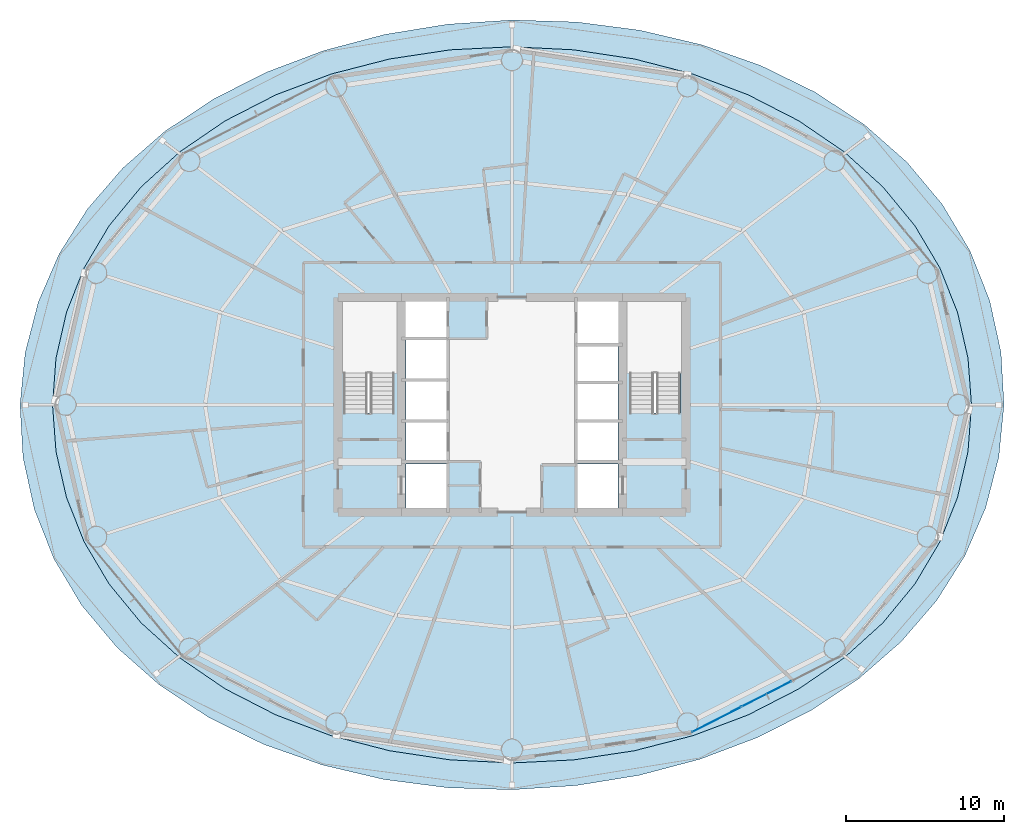
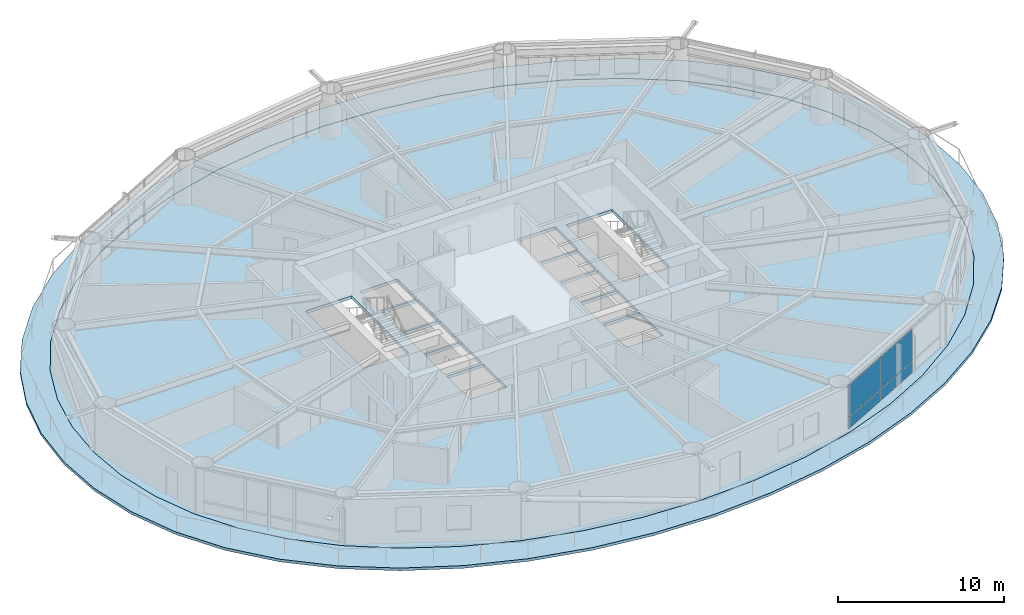
# One storey, part 15 of 24: 4 plates, 2 slabs, 1 element without a shape of its own.
"""IFC4 building model written with IfcOpenShell, lengths in metres."""

from ifc_helpers import new_model, si_unit, direction, frame, origin, origin_2d, place, context, subcontext, project, spatial, polyline, rectangle, outline, extrude, material, layer, layer_set, type_object, element, aggregate, save


model = new_model("IFC4")

# Units and contexts
model_context = context("Model", 3, precision=1e-05, world=origin(), true_north=direction((0.0, 1.0)))
body_context = subcontext(model_context, "Body", "Model", "MODEL_VIEW")
ifc_project = project(units=[si_unit("LENGTHUNIT", "METRE"), si_unit("AREAUNIT", "SQUARE_METRE"), si_unit("VOLUMEUNIT", "CUBIC_METRE"), si_unit("PLANEANGLEUNIT", "RADIAN"), si_unit("MASSUNIT", "GRAM", prefix="KILO")], contexts=[model_context])

# Site, building, storey
site_placement = place(None, origin())
site = spatial("IfcSite", under=ifc_project, at=site_placement, CompositionType="ELEMENT")
building_placement = place(site_placement, origin())
building = spatial("IfcBuilding", under=site, at=building_placement, Name="Sarneth Arch Tower", CompositionType="ELEMENT")
storey_placement = place(building_placement, frame((0.0, 0.0, 130.800048828125)))
storey = spatial("IfcBuildingStorey", under=building, at=storey_placement, Name="L33", CompositionType="ELEMENT", Elevation=130.800048828125)

# Curtain wall, plates
ifc_material_1 = material(Name="Anodised aluminium Type AA25 and solar-control low-e laminated IGU", Category="aluminium")
ifc_layer_1 = layer(ifc_material_1, 0.159912109375)
ifc_layer_set_1 = layer_set([ifc_layer_1], Name="Anodised aluminium Type AA25 and solar-control low-e laminated IGU")
curtain_wall_type = type_object("IfcCurtainWallType", Name="CW-HOTEL-MID", PredefinedType="NOTDEFINED", material=ifc_layer_set_1)
curtain_wall_placement = place(storey_placement, origin())
curtain_wall = element("IfcCurtainWall", 1, at=curtain_wall_placement, inside=storey, type_object=curtain_wall_type, Name="L33 Unitised curtain wall facet 14", PredefinedType="NOTDEFINED")
ifc_material_2 = material(Name="Solar-control low-e laminated IGU", Category="glass")
ifc_layer_2 = layer(ifc_material_2, 0.028076171875)
ifc_layer_set_2 = layer_set([ifc_layer_2], Name="Solar-control low-e laminated IGU")
plate_type = type_object("IfcPlateType", Name="CW-PANEL", PredefinedType="CURTAIN_PANEL", material=ifc_layer_set_2)
plate_1_placement = place(storey_placement, frame((60.946044921875, 22.094482421875, 0.059814453125), z_axis=(0.0, 0.0, 1.0), x_axis=(0.889963703649, 0.456031365356, 0.0)))
plate_1 = element("IfcPlate", 2, at=plate_1_placement, type_object=plate_type, Name="Curtain wall glazed vision pane CW-L33-F14/P00-00", PredefinedType="CURTAIN_PANEL", context=body_context, shape_type="SweptSolid", body=[
    extrude(rectangle(XDim=3.464111328125, YDim=0.028076171875, at=origin_2d()), origin(), (0.0, 0.0, 1.0), 0.81005859375),
])
plate_2_placement = place(storey_placement, frame((60.946044921875, 22.094482421875, 0.929931640625), z_axis=(0.0, 0.0, 1.0), x_axis=(0.889963703649, 0.456031365356, 0.0)))
plate_2 = element("IfcPlate", 3, at=plate_2_placement, type_object=plate_type, Name="Curtain wall glazed vision pane CW-L33-F14/P00-01", PredefinedType="CURTAIN_PANEL", context=body_context, shape_type="SweptSolid", body=[
    extrude(rectangle(XDim=3.464111328125, YDim=0.028076171875, at=origin_2d()), origin(), (0.0, 0.0, 1.0), 2.330078125),
])
plate_3_placement = place(storey_placement, frame((64.095703125, 23.70849609375, 0.059814453125), z_axis=(0.0, 0.0, 1.0), x_axis=(0.889963703649, 0.456031365356, 0.0)))
plate_3 = element("IfcPlate", 4, at=plate_3_placement, type_object=plate_type, Name="Curtain wall glazed vision pane CW-L33-F14/P01-00", PredefinedType="CURTAIN_PANEL", context=body_context, shape_type="SweptSolid", body=[
    extrude(rectangle(XDim=3.493896484375, YDim=0.028076171875, at=origin_2d()), origin(), (0.0, 0.0, 1.0), 0.81005859375),
])
plate_4_placement = place(storey_placement, frame((64.095703125, 23.70849609375, 0.929931640625), z_axis=(0.0, 0.0, 1.0), x_axis=(0.889963703649, 0.456031365356, 0.0)))
plate_4 = element("IfcPlate", 5, at=plate_4_placement, type_object=plate_type, Name="Curtain wall glazed vision pane CW-L33-F14/P01-01", PredefinedType="CURTAIN_PANEL", context=body_context, shape_type="SweptSolid", body=[
    extrude(rectangle(XDim=3.493896484375, YDim=0.028076171875, at=origin_2d()), origin(), (0.0, 0.0, 1.0), 2.330078125),
])
aggregate(curtain_wall, [plate_1, plate_2, plate_3, plate_4])

# Slabs
ifc_material_3 = material(Name="Concrete C50/60", Category="concrete")
ifc_layer_3 = layer(ifc_material_3, 0.199951171875)
ifc_layer_set_3 = layer_set([ifc_layer_3], Name="Concrete C50/60")
slab_type_1 = type_object("IfcSlabType", Name="SLAB-BALC-200", PredefinedType="FLOOR", material=ifc_layer_set_3)
slab_1_placement = place(storey_placement, frame((0.0, 0.0, -0.199951171875)))
element("IfcSlab", 6, at=slab_1_placement, inside=storey, type_object=slab_type_1, Name="L33 Helical balcony band slab", PredefinedType="FLOOR", context=body_context, shape_type="SweptSolid", body=[
    extrude(outline(polyline([(79.11962890625, 42.0), (78.929443359375, 45.329345703125), (78.214599609375, 48.600830078125), (76.976318359375, 51.737060546875), (75.22509765625, 54.67138671875), (72.982666015625, 57.35009765625), (70.28369140625, 59.729736328125), (67.178466796875, 61.776611328125), (63.73095703125, 63.46435546875), (60.014892578125, 64.774169921875), (56.106201171875, 65.693603515625), (52.078369140625, 66.216796875), (48.0, 66.34326171875), (43.935546875, 66.077880859375), (39.947509765625, 65.429443359375), (36.09912109375, 64.41064453125), (32.45556640625, 63.03662109375), (29.08251953125, 61.326171875), (26.040283203125, 59.299072265625), (23.381103515625, 56.9775390625), (21.143798828125, 54.3857421875), (19.3564453125, 51.551513671875), (18.038818359375, 48.509033203125), (17.207763671875, 45.3046875), (16.88037109375, 42.0), (17.070556640625, 38.670654296875), (17.785400390625, 35.399169921875), (19.023681640625, 32.262939453125), (20.77490234375, 29.32861328125), (23.017333984375, 26.64990234375), (25.71630859375, 24.270263671875), (28.821533203125, 22.223388671875), (32.26904296875, 20.53564453125), (35.985107421875, 19.225830078125), (39.893798828125, 18.306396484375), (43.921630859375, 17.783203125), (48.0, 17.65673828125), (52.064453125, 17.922119140625), (56.052490234375, 18.570556640625), (59.90087890625, 19.58935546875), (63.54443359375, 20.96337890625), (66.91748046875, 22.673828125), (69.959716796875, 24.700927734375), (72.618896484375, 27.0224609375), (74.856201171875, 29.6142578125), (76.6435546875, 32.448486328125), (77.961181640625, 35.490966796875), (78.792236328125, 38.6953125), (79.11962890625, 42.0)]), holes=[polyline([(77.062744140625, 42.0), (76.84228515625, 44.956298828125), (76.17724609375, 47.8623046875), (75.060546875, 50.667724609375), (73.486328125, 53.324951171875), (71.458251953125, 55.788330078125), (68.994384765625, 58.015869140625), (66.132080078125, 59.969482421875), (62.923828125, 61.615478515625), (59.435302734375, 62.92578125), (55.73779296875, 63.878173828125), (51.902587890625, 64.456298828125), (48.0, 64.64990234375), (44.097412109375, 64.456298828125), (40.26220703125, 63.878173828125), (36.564697265625, 62.92578125), (33.076171875, 61.615478515625), (29.867919921875, 59.969482421875), (27.005615234375, 58.015869140625), (24.541748046875, 55.788330078125), (22.513671875, 53.324951171875), (20.939453125, 50.667724609375), (19.82275390625, 47.8623046875), (19.15771484375, 44.956298828125), (18.937255859375, 42.0), (19.15771484375, 39.043701171875), (19.82275390625, 36.1376953125), (20.939453125, 33.332275390625), (22.513671875, 30.675048828125), (24.541748046875, 28.211669921875), (27.005615234375, 25.984130859375), (29.867919921875, 24.030517578125), (33.076171875, 22.384521484375), (36.564697265625, 21.07421875), (40.26220703125, 20.121826171875), (44.097412109375, 19.543701171875), (48.0, 19.35009765625), (51.902587890625, 19.543701171875), (55.73779296875, 20.121826171875), (59.435302734375, 21.07421875), (62.923828125, 22.384521484375), (66.132080078125, 24.030517578125), (68.994384765625, 25.984130859375), (71.458251953125, 28.211669921875), (73.486328125, 30.675048828125), (75.060546875, 33.332275390625), (76.17724609375, 36.1376953125), (76.84228515625, 39.043701171875), (77.062744140625, 42.0)])]), origin(), (0.0, 0.0, 1.0), 0.199951171875),
])
ifc_material_4 = material(Name="Concrete C50/60", Category="concrete")
ifc_layer_4 = layer(ifc_material_4, 0.219970703125)
ifc_layer_set_4 = layer_set([ifc_layer_4], Name="Concrete C50/60")
slab_type_2 = type_object("IfcSlabType", Name="SLAB-TOWER-220", PredefinedType="FLOOR", material=ifc_layer_set_4)
slab_2_placement = place(storey_placement, frame((0.0, 0.0, -0.219970703125)))
element("IfcSlab", 7, at=slab_2_placement, inside=storey, type_object=slab_type_2, Name="L33 Elliptical floor slab", PredefinedType="FLOOR", context=body_context, shape_type="SweptSolid", body=[
    extrude(outline(polyline([(77.062744140625, 42.0), (76.84228515625, 44.956298828125), (76.17724609375, 47.8623046875), (75.060546875, 50.667724609375), (73.486328125, 53.324951171875), (71.458251953125, 55.788330078125), (68.994384765625, 58.015869140625), (66.132080078125, 59.969482421875), (62.923828125, 61.615478515625), (59.435302734375, 62.92578125), (55.73779296875, 63.878173828125), (51.902587890625, 64.456298828125), (48.0, 64.64990234375), (44.097412109375, 64.456298828125), (40.26220703125, 63.878173828125), (36.564697265625, 62.92578125), (33.076171875, 61.615478515625), (29.867919921875, 59.969482421875), (27.005615234375, 58.015869140625), (24.541748046875, 55.788330078125), (22.513671875, 53.324951171875), (20.939453125, 50.667724609375), (19.82275390625, 47.8623046875), (19.15771484375, 44.956298828125), (18.937255859375, 42.0), (19.15771484375, 39.043701171875), (19.82275390625, 36.1376953125), (20.939453125, 33.332275390625), (22.513671875, 30.675048828125), (24.541748046875, 28.211669921875), (27.005615234375, 25.984130859375), (29.867919921875, 24.030517578125), (33.076171875, 22.384521484375), (36.564697265625, 21.07421875), (40.26220703125, 20.121826171875), (44.097412109375, 19.543701171875), (48.0, 19.35009765625), (51.902587890625, 19.543701171875), (55.73779296875, 20.121826171875), (59.435302734375, 21.07421875), (62.923828125, 22.384521484375), (66.132080078125, 24.030517578125), (68.994384765625, 25.984130859375), (71.458251953125, 28.211669921875), (73.486328125, 30.675048828125), (75.060546875, 33.332275390625), (76.17724609375, 36.1376953125), (76.84228515625, 39.043701171875), (77.062744140625, 42.0)]), holes=[polyline([(37.35009765625, 41.489990234375), (40.550048828125, 41.489990234375), (40.550048828125, 48.39990234375), (37.35009765625, 48.39990234375), (37.35009765625, 41.489990234375)]), polyline([(55.449951171875, 41.489990234375), (58.64990234375, 41.489990234375), (58.64990234375, 48.39990234375), (55.449951171875, 48.39990234375), (55.449951171875, 41.489990234375)]), polyline([(41.199951171875, 46.25), (43.85009765625, 46.25), (43.85009765625, 48.550048828125), (41.199951171875, 48.550048828125), (41.199951171875, 46.25)]), polyline([(41.300048828125, 35.449951171875), (43.85009765625, 35.449951171875), (43.85009765625, 38.25), (41.300048828125, 38.25), (41.300048828125, 35.449951171875)]), polyline([(52.14990234375, 35.449951171875), (54.699951171875, 35.449951171875), (54.699951171875, 38.25), (52.14990234375, 38.25), (52.14990234375, 35.449951171875)]), polyline([(52.14990234375, 45.85009765625), (54.800048828125, 45.85009765625), (54.800048828125, 48.550048828125), (52.14990234375, 48.550048828125), (52.14990234375, 45.85009765625)]), polyline([(41.300048828125, 38.449951171875), (43.85009765625, 38.449951171875), (43.85009765625, 40.89990234375), (41.300048828125, 40.89990234375), (41.300048828125, 38.449951171875)]), polyline([(41.300048828125, 41.050048828125), (43.85009765625, 41.050048828125), (43.85009765625, 43.5), (41.300048828125, 43.5), (41.300048828125, 41.050048828125)]), polyline([(41.300048828125, 43.64990234375), (43.85009765625, 43.64990234375), (43.85009765625, 46.10009765625), (41.300048828125, 46.10009765625), (41.300048828125, 43.64990234375)]), polyline([(52.14990234375, 38.449951171875), (54.699951171875, 38.449951171875), (54.699951171875, 40.89990234375), (52.14990234375, 40.89990234375), (52.14990234375, 38.449951171875)]), polyline([(52.14990234375, 41.050048828125), (54.699951171875, 41.050048828125), (54.699951171875, 43.35009765625), (52.14990234375, 43.35009765625), (52.14990234375, 41.050048828125)]), polyline([(52.14990234375, 43.5), (54.699951171875, 43.5), (54.699951171875, 45.75), (52.14990234375, 45.75), (52.14990234375, 43.5)])]), origin(), (0.0, 0.0, 1.0), 0.219970703125),
])

save(model, "model.ifc")
